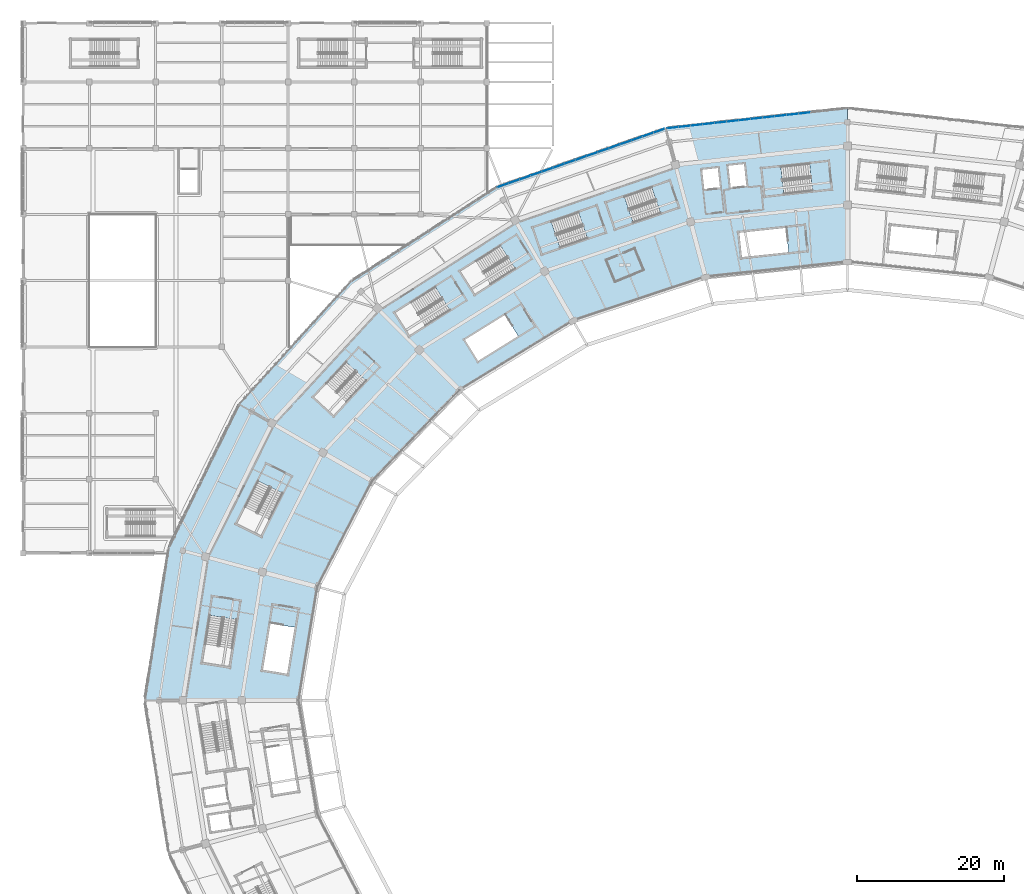
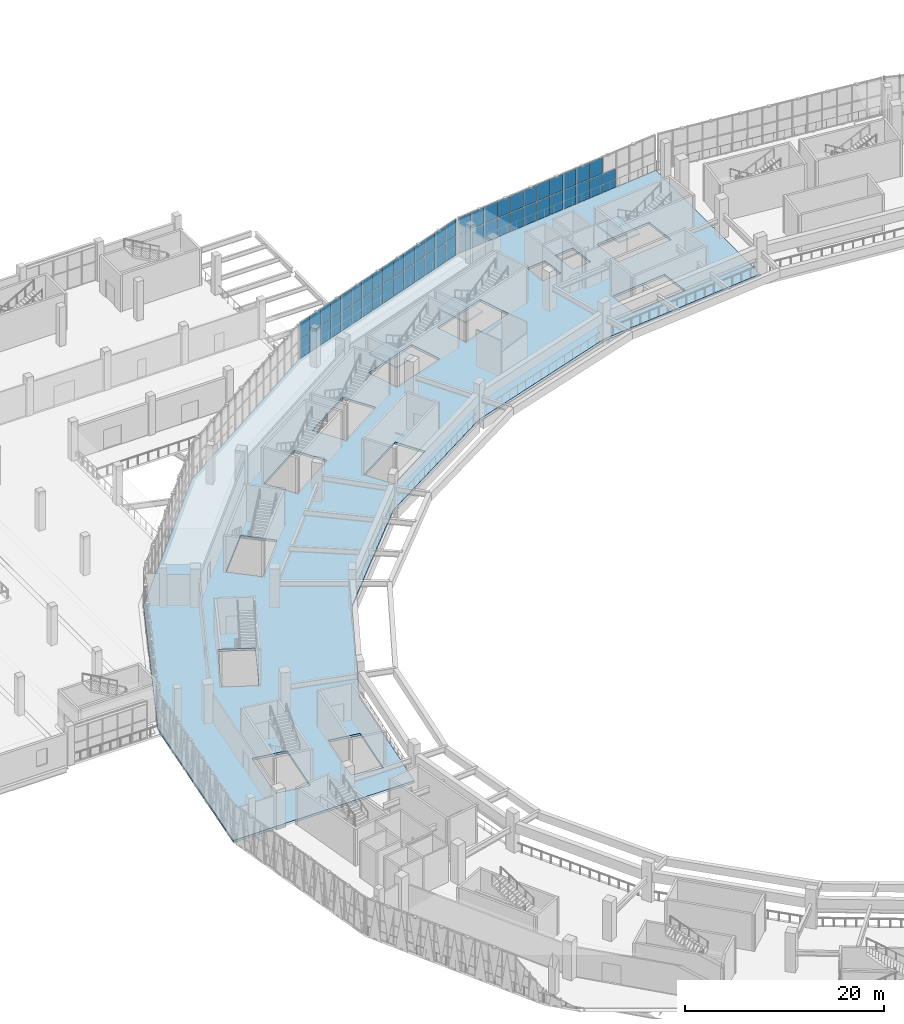
# One storey, part 92 of 179: 53 plates, 4 slabs, 5 elements without a shape of their own.
"""IFC4 building model written with IfcOpenShell, lengths in metres."""

from ifc_helpers import new_model, si_unit, direction, frame, origin, origin_2d, place, context, subcontext, project, spatial, polyline, rectangle, outline, extrude, material, layer, layer_set, type_object, element, aggregate, save


model = new_model("IFC4")

# Units and contexts
model_context = context("Model", 3, precision=1e-05, world=origin(), true_north=direction((0.0, 1.0)))
body_context = subcontext(model_context, "Body", "Model", "MODEL_VIEW")
ifc_project = project(units=[si_unit("LENGTHUNIT", "METRE"), si_unit("AREAUNIT", "SQUARE_METRE"), si_unit("VOLUMEUNIT", "CUBIC_METRE"), si_unit("PLANEANGLEUNIT", "RADIAN"), si_unit("MASSUNIT", "GRAM", prefix="KILO")], contexts=[model_context])

# Site, building, storey
site_placement = place(None, origin())
site = spatial("IfcSite", under=ifc_project, at=site_placement, CompositionType="ELEMENT")
building_placement = place(site_placement, origin())
building = spatial("IfcBuilding", under=site, at=building_placement, Name="Zevraka Park Crest Stadium", CompositionType="ELEMENT")
storey_placement = place(building_placement, frame((0.0, 0.0, 10.199951171875)))
storey = spatial("IfcBuildingStorey", under=building, at=storey_placement, Name="L02", CompositionType="ELEMENT", Elevation=10.199951171875)

# Curtain wall, plates
ifc_material_1 = material(Name="Anodised architectural aluminium and laminated safety glass", Category="aluminium")
curtain_wall_type_1 = type_object("IfcCurtainWallType", Name="CW06", PredefinedType="NOTDEFINED", material=ifc_material_1)
curtain_wall_1_placement = place(storey_placement, origin())
curtain_wall_1 = element("IfcCurtainWall", 1, at=curtain_wall_1_placement, inside=storey, type_object=curtain_wall_type_1, Name="Unitised Ring Curtain Wall CW06 L02-06", PredefinedType="NOTDEFINED")
ifc_material_2 = material(Name="Solar-control laminated double glazing", Category="glass")
ifc_layer_1 = layer(ifc_material_2, 0.028076171875)
ifc_layer_set_1 = layer_set([ifc_layer_1], Name="Solar-control laminated double glazing")
plate_type_1 = type_object("IfcPlateType", Name="CP06", PredefinedType="CURTAIN_PANEL", material=ifc_layer_set_1)
plate_1_placement = place(storey_placement, frame((106.16748046875, 171.772216796875, 0.070068359375), z_axis=(0.0, 0.0, 1.0), x_axis=(-0.993899099743, -0.110293152687, 0.0)))
plate_1 = element("IfcPlate", 2, at=plate_1_placement, type_object=plate_type_1, Name="CW06 panel 4.1", PredefinedType="CURTAIN_PANEL", context=body_context, shape_type="SweptSolid", body=[
    extrude(rectangle(XDim=1.5693359375, YDim=0.028076171875, at=origin_2d()), origin(), (0.0, 0.0, 1.0), 2.294921875),
])
plate_2_placement = place(storey_placement, frame((104.538330078125, 171.59130859375, 0.070068359375), z_axis=(0.0, 0.0, 1.0), x_axis=(-0.993899099743, -0.110293152687, 0.0)))
plate_2 = element("IfcPlate", 3, at=plate_2_placement, type_object=plate_type_1, Name="CW06 panel 5.1", PredefinedType="CURTAIN_PANEL", context=body_context, shape_type="SweptSolid", body=[
    extrude(rectangle(XDim=1.5693359375, YDim=0.028076171875, at=origin_2d()), origin(), (0.0, 0.0, 1.0), 2.294921875),
])
plate_3_placement = place(storey_placement, frame((104.538330078125, 171.59130859375, 2.43505859375), z_axis=(0.0, 0.0, 1.0), x_axis=(-0.993899099743, -0.110293152687, 0.0)))
plate_3 = element("IfcPlate", 4, at=plate_3_placement, type_object=plate_type_1, Name="CW06 panel 5.2", PredefinedType="CURTAIN_PANEL", context=body_context, shape_type="SweptSolid", body=[
    extrude(rectangle(XDim=1.5693359375, YDim=0.028076171875, at=origin_2d()), origin(), (0.0, 0.0, 1.0), 1.9951171875),
])
plate_4_placement = place(storey_placement, frame((102.908935546875, 171.41064453125, 0.070068359375), z_axis=(0.0, 0.0, 1.0), x_axis=(-0.993899099743, -0.110293152687, 0.0)))
plate_4 = element("IfcPlate", 5, at=plate_4_placement, type_object=plate_type_1, Name="CW06 panel 6.1", PredefinedType="CURTAIN_PANEL", context=body_context, shape_type="SweptSolid", body=[
    extrude(rectangle(XDim=1.5693359375, YDim=0.028076171875, at=origin_2d()), origin(), (0.0, 0.0, 1.0), 2.294921875),
])
plate_5_placement = place(storey_placement, frame((102.908935546875, 171.41064453125, 2.43505859375), z_axis=(0.0, 0.0, 1.0), x_axis=(-0.993899099743, -0.110293152687, 0.0)))
plate_5 = element("IfcPlate", 6, at=plate_5_placement, type_object=plate_type_1, Name="CW06 panel 6.2", PredefinedType="CURTAIN_PANEL", context=body_context, shape_type="SweptSolid", body=[
    extrude(rectangle(XDim=1.5693359375, YDim=0.028076171875, at=origin_2d()), origin(), (0.0, 0.0, 1.0), 1.9951171875),
])
plate_6_placement = place(storey_placement, frame((101.27978515625, 171.229736328125, 0.070068359375), z_axis=(0.0, 0.0, 1.0), x_axis=(-0.993899099743, -0.110293152687, 0.0)))
plate_6 = element("IfcPlate", 7, at=plate_6_placement, type_object=plate_type_1, Name="CW06 panel 7.1", PredefinedType="CURTAIN_PANEL", context=body_context, shape_type="SweptSolid", body=[
    extrude(rectangle(XDim=1.5693359375, YDim=0.028076171875, at=origin_2d()), origin(), (0.0, 0.0, 1.0), 2.294921875),
])
plate_7_placement = place(storey_placement, frame((101.27978515625, 171.229736328125, 2.43505859375), z_axis=(0.0, 0.0, 1.0), x_axis=(-0.993899099743, -0.110293152687, 0.0)))
plate_7 = element("IfcPlate", 8, at=plate_7_placement, type_object=plate_type_1, Name="CW06 panel 7.2", PredefinedType="CURTAIN_PANEL", context=body_context, shape_type="SweptSolid", body=[
    extrude(rectangle(XDim=1.5693359375, YDim=0.028076171875, at=origin_2d()), origin(), (0.0, 0.0, 1.0), 1.9951171875),
])
plate_8_placement = place(storey_placement, frame((99.650390625, 171.049072265625, 0.070068359375), z_axis=(0.0, 0.0, 1.0), x_axis=(-0.993899099743, -0.110293152687, 0.0)))
plate_8 = element("IfcPlate", 9, at=plate_8_placement, type_object=plate_type_1, Name="CW06 panel 8.1", PredefinedType="CURTAIN_PANEL", context=body_context, shape_type="SweptSolid", body=[
    extrude(rectangle(XDim=1.5693359375, YDim=0.028076171875, at=origin_2d()), origin(), (0.0, 0.0, 1.0), 2.294921875),
])
plate_9_placement = place(storey_placement, frame((99.650390625, 171.049072265625, 2.43505859375), z_axis=(0.0, 0.0, 1.0), x_axis=(-0.993899099743, -0.110293152687, 0.0)))
plate_9 = element("IfcPlate", 10, at=plate_9_placement, type_object=plate_type_1, Name="CW06 panel 8.2", PredefinedType="CURTAIN_PANEL", context=body_context, shape_type="SweptSolid", body=[
    extrude(rectangle(XDim=1.5693359375, YDim=0.028076171875, at=origin_2d()), origin(), (0.0, 0.0, 1.0), 1.9951171875),
])
plate_10_placement = place(storey_placement, frame((98.021240234375, 170.8681640625, 0.070068359375), z_axis=(0.0, 0.0, 1.0), x_axis=(-0.993899099743, -0.110293152687, 0.0)))
plate_10 = element("IfcPlate", 11, at=plate_10_placement, type_object=plate_type_1, Name="CW06 panel 9.1", PredefinedType="CURTAIN_PANEL", context=body_context, shape_type="SweptSolid", body=[
    extrude(rectangle(XDim=1.5693359375, YDim=0.028076171875, at=origin_2d()), origin(), (0.0, 0.0, 1.0), 2.294921875),
])
plate_11_placement = place(storey_placement, frame((98.021240234375, 170.8681640625, 2.43505859375), z_axis=(0.0, 0.0, 1.0), x_axis=(-0.993899099743, -0.110293152687, 0.0)))
plate_11 = element("IfcPlate", 12, at=plate_11_placement, type_object=plate_type_1, Name="CW06 panel 9.2", PredefinedType="CURTAIN_PANEL", context=body_context, shape_type="SweptSolid", body=[
    extrude(rectangle(XDim=1.5693359375, YDim=0.028076171875, at=origin_2d()), origin(), (0.0, 0.0, 1.0), 1.9951171875),
])
plate_12_placement = place(storey_placement, frame((96.391845703125, 170.6875, 0.070068359375), z_axis=(0.0, 0.0, 1.0), x_axis=(-0.993899099743, -0.110293152687, 0.0)))
plate_12 = element("IfcPlate", 13, at=plate_12_placement, type_object=plate_type_1, Name="CW06 panel 10.1", PredefinedType="CURTAIN_PANEL", context=body_context, shape_type="SweptSolid", body=[
    extrude(rectangle(XDim=1.5693359375, YDim=0.028076171875, at=origin_2d()), origin(), (0.0, 0.0, 1.0), 2.294921875),
])
plate_13_placement = place(storey_placement, frame((96.391845703125, 170.6875, 2.43505859375), z_axis=(0.0, 0.0, 1.0), x_axis=(-0.993899099743, -0.110293152687, 0.0)))
plate_13 = element("IfcPlate", 14, at=plate_13_placement, type_object=plate_type_1, Name="CW06 panel 10.2", PredefinedType="CURTAIN_PANEL", context=body_context, shape_type="SweptSolid", body=[
    extrude(rectangle(XDim=1.5693359375, YDim=0.028076171875, at=origin_2d()), origin(), (0.0, 0.0, 1.0), 1.9951171875),
])
plate_14_placement = place(storey_placement, frame((94.7626953125, 170.506591796875, 0.070068359375), z_axis=(0.0, 0.0, 1.0), x_axis=(-0.993899099743, -0.110293152687, 0.0)))
plate_14 = element("IfcPlate", 15, at=plate_14_placement, type_object=plate_type_1, Name="CW06 panel 11.1", PredefinedType="CURTAIN_PANEL", context=body_context, shape_type="SweptSolid", body=[
    extrude(rectangle(XDim=1.5693359375, YDim=0.028076171875, at=origin_2d()), origin(), (0.0, 0.0, 1.0), 2.294921875),
])
plate_15_placement = place(storey_placement, frame((94.7626953125, 170.506591796875, 2.43505859375), z_axis=(0.0, 0.0, 1.0), x_axis=(-0.993899099743, -0.110293152687, 0.0)))
plate_15 = element("IfcPlate", 16, at=plate_15_placement, type_object=plate_type_1, Name="CW06 panel 11.2", PredefinedType="CURTAIN_PANEL", context=body_context, shape_type="SweptSolid", body=[
    extrude(rectangle(XDim=1.5693359375, YDim=0.028076171875, at=origin_2d()), origin(), (0.0, 0.0, 1.0), 1.9951171875),
])
plate_16_placement = place(storey_placement, frame((93.133544921875, 170.32568359375, 0.070068359375), z_axis=(0.0, 0.0, 1.0), x_axis=(-0.993899099743, -0.110293152687, 0.0)))
plate_16 = element("IfcPlate", 17, at=plate_16_placement, type_object=plate_type_1, Name="CW06 panel 12.1", PredefinedType="CURTAIN_PANEL", context=body_context, shape_type="SweptSolid", body=[
    extrude(rectangle(XDim=1.5693359375, YDim=0.028076171875, at=origin_2d()), origin(), (0.0, 0.0, 1.0), 2.294921875),
])
plate_17_placement = place(storey_placement, frame((93.133544921875, 170.32568359375, 2.43505859375), z_axis=(0.0, 0.0, 1.0), x_axis=(-0.993899099743, -0.110293152687, 0.0)))
plate_17 = element("IfcPlate", 18, at=plate_17_placement, type_object=plate_type_1, Name="CW06 panel 12.2", PredefinedType="CURTAIN_PANEL", context=body_context, shape_type="SweptSolid", body=[
    extrude(rectangle(XDim=1.5693359375, YDim=0.028076171875, at=origin_2d()), origin(), (0.0, 0.0, 1.0), 1.9951171875),
])
plate_18_placement = place(storey_placement, frame((91.504150390625, 170.14501953125, 0.070068359375), z_axis=(0.0, 0.0, 1.0), x_axis=(-0.993899099743, -0.110293152687, 0.0)))
plate_18 = element("IfcPlate", 19, at=plate_18_placement, type_object=plate_type_1, Name="CW06 panel 13.1", PredefinedType="CURTAIN_PANEL", context=body_context, shape_type="SweptSolid", body=[
    extrude(rectangle(XDim=1.5693359375, YDim=0.028076171875, at=origin_2d()), origin(), (0.0, 0.0, 1.0), 2.294921875),
])
plate_19_placement = place(storey_placement, frame((91.504150390625, 170.14501953125, 2.43505859375), z_axis=(0.0, 0.0, 1.0), x_axis=(-0.993899099743, -0.110293152687, 0.0)))
plate_19 = element("IfcPlate", 20, at=plate_19_placement, type_object=plate_type_1, Name="CW06 panel 13.2", PredefinedType="CURTAIN_PANEL", context=body_context, shape_type="SweptSolid", body=[
    extrude(rectangle(XDim=1.5693359375, YDim=0.028076171875, at=origin_2d()), origin(), (0.0, 0.0, 1.0), 1.9951171875),
])
plate_20_placement = place(storey_placement, frame((89.875, 169.964111328125, 0.070068359375), z_axis=(0.0, 0.0, 1.0), x_axis=(-0.993899099743, -0.110293152687, 0.0)))
plate_20 = element("IfcPlate", 21, at=plate_20_placement, type_object=plate_type_1, Name="CW06 panel 14.1", PredefinedType="CURTAIN_PANEL", context=body_context, shape_type="SweptSolid", body=[
    extrude(rectangle(XDim=1.5693359375, YDim=0.028076171875, at=origin_2d()), origin(), (0.0, 0.0, 1.0), 2.294921875),
])
plate_21_placement = place(storey_placement, frame((89.875, 169.964111328125, 2.43505859375), z_axis=(0.0, 0.0, 1.0), x_axis=(-0.993899099743, -0.110293152687, 0.0)))
plate_21 = element("IfcPlate", 22, at=plate_21_placement, type_object=plate_type_1, Name="CW06 panel 14.2", PredefinedType="CURTAIN_PANEL", context=body_context, shape_type="SweptSolid", body=[
    extrude(rectangle(XDim=1.5693359375, YDim=0.028076171875, at=origin_2d()), origin(), (0.0, 0.0, 1.0), 1.9951171875),
])
plate_22_placement = place(storey_placement, frame((88.262939453125, 169.785400390625, 0.070068359375), z_axis=(0.0, 0.0, 1.0), x_axis=(-0.993899099743, -0.110293152687, 0.0)))
plate_22 = element("IfcPlate", 23, at=plate_22_placement, type_object=plate_type_1, Name="CW06 panel 15.1", PredefinedType="CURTAIN_PANEL", context=body_context, shape_type="SweptSolid", body=[
    extrude(rectangle(XDim=1.5341796875, YDim=0.028076171875, at=origin_2d()), origin(), (0.0, 0.0, 1.0), 2.294921875),
])
plate_23_placement = place(storey_placement, frame((88.262939453125, 169.785400390625, 2.43505859375), z_axis=(0.0, 0.0, 1.0), x_axis=(-0.993899099743, -0.110293152687, 0.0)))
plate_23 = element("IfcPlate", 24, at=plate_23_placement, type_object=plate_type_1, Name="CW06 panel 15.2", PredefinedType="CURTAIN_PANEL", context=body_context, shape_type="SweptSolid", body=[
    extrude(rectangle(XDim=1.5341796875, YDim=0.028076171875, at=origin_2d()), origin(), (0.0, 0.0, 1.0), 1.9951171875),
])
aggregate(curtain_wall_1, [plate_1, plate_2, plate_3, plate_4, plate_5, plate_6, plate_7, plate_8, plate_9, plate_10, plate_11, plate_12, plate_13, plate_14, plate_15, plate_16, plate_17, plate_18, plate_19, plate_20, plate_21, plate_22, plate_23])

ifc_material_3 = material(Name="Anodised architectural aluminium and laminated safety glass", Category="aluminium")
curtain_wall_type_2 = type_object("IfcCurtainWallType", Name="CW07", PredefinedType="NOTDEFINED", material=ifc_material_3)
curtain_wall_2_placement = place(storey_placement, origin())
curtain_wall_2 = element("IfcCurtainWall", 25, at=curtain_wall_2_placement, inside=storey, type_object=curtain_wall_type_2, Name="Unitised Ring Curtain Wall CW07 L02-07", PredefinedType="NOTDEFINED")
ifc_material_4 = material(Name="Solar-control laminated double glazing", Category="glass")
ifc_layer_2 = layer(ifc_material_4, 0.028076171875)
ifc_layer_set_2 = layer_set([ifc_layer_2], Name="Solar-control laminated double glazing")
plate_type_2 = type_object("IfcPlateType", Name="CP07", PredefinedType="CURTAIN_PANEL", material=ifc_layer_set_2)
plate_24_placement = place(storey_placement, frame((86.40380859375, 169.364990234375, 0.06005859375), z_axis=(0.0, 0.0, 1.0), x_axis=(-0.944114076789, -0.329618886002, 0.0)))
plate_24 = element("IfcPlate", 26, at=plate_24_placement, type_object=plate_type_2, Name="CW07 panel 1.1", PredefinedType="CURTAIN_PANEL", context=body_context, shape_type="SweptSolid", body=[
    extrude(rectangle(XDim=1.517822265625, YDim=0.028076171875, at=origin_2d()), origin(), (0.0, 0.0, 1.0), 2.31005859375),
])
plate_25_placement = place(storey_placement, frame((86.40380859375, 169.364990234375, 2.43017578125), z_axis=(0.0, 0.0, 1.0), x_axis=(-0.944114076789, -0.329618886002, 0.0)))
plate_25 = element("IfcPlate", 27, at=plate_25_placement, type_object=plate_type_2, Name="CW07 panel 1.2", PredefinedType="CURTAIN_PANEL", context=body_context, shape_type="SweptSolid", body=[
    extrude(rectangle(XDim=1.517822265625, YDim=0.028076171875, at=origin_2d()), origin(), (0.0, 0.0, 1.0), 2.010009765625),
])
plate_26_placement = place(storey_placement, frame((84.900146484375, 168.840087890625, 0.06005859375), z_axis=(0.0, 0.0, 1.0), x_axis=(-0.944114076789, -0.329618886002, 0.0)))
plate_26 = element("IfcPlate", 28, at=plate_26_placement, type_object=plate_type_2, Name="CW07 panel 2.1", PredefinedType="CURTAIN_PANEL", context=body_context, shape_type="SweptSolid", body=[
    extrude(rectangle(XDim=1.547607421875, YDim=0.028076171875, at=origin_2d()), origin(), (0.0, 0.0, 1.0), 2.31005859375),
])
plate_27_placement = place(storey_placement, frame((84.900146484375, 168.840087890625, 2.43017578125), z_axis=(0.0, 0.0, 1.0), x_axis=(-0.944114076789, -0.329618886002, 0.0)))
plate_27 = element("IfcPlate", 29, at=plate_27_placement, type_object=plate_type_2, Name="CW07 panel 2.2", PredefinedType="CURTAIN_PANEL", context=body_context, shape_type="SweptSolid", body=[
    extrude(rectangle(XDim=1.547607421875, YDim=0.028076171875, at=origin_2d()), origin(), (0.0, 0.0, 1.0), 2.010009765625),
])
plate_28_placement = place(storey_placement, frame((83.38232421875, 168.31005859375, 0.06005859375), z_axis=(0.0, 0.0, 1.0), x_axis=(-0.944114076789, -0.329618886002, 0.0)))
plate_28 = element("IfcPlate", 30, at=plate_28_placement, type_object=plate_type_2, Name="CW07 panel 3.1", PredefinedType="CURTAIN_PANEL", context=body_context, shape_type="SweptSolid", body=[
    extrude(rectangle(XDim=1.547607421875, YDim=0.028076171875, at=origin_2d()), origin(), (0.0, 0.0, 1.0), 2.31005859375),
])
plate_29_placement = place(storey_placement, frame((83.38232421875, 168.31005859375, 2.43017578125), z_axis=(0.0, 0.0, 1.0), x_axis=(-0.944114076789, -0.329618886002, 0.0)))
plate_29 = element("IfcPlate", 31, at=plate_29_placement, type_object=plate_type_2, Name="CW07 panel 3.2", PredefinedType="CURTAIN_PANEL", context=body_context, shape_type="SweptSolid", body=[
    extrude(rectangle(XDim=1.547607421875, YDim=0.028076171875, at=origin_2d()), origin(), (0.0, 0.0, 1.0), 2.010009765625),
])
plate_30_placement = place(storey_placement, frame((81.864501953125, 167.7802734375, 0.06005859375), z_axis=(0.0, 0.0, 1.0), x_axis=(-0.944114076789, -0.329618886002, 0.0)))
plate_30 = element("IfcPlate", 32, at=plate_30_placement, type_object=plate_type_2, Name="CW07 panel 4.1", PredefinedType="CURTAIN_PANEL", context=body_context, shape_type="SweptSolid", body=[
    extrude(rectangle(XDim=1.547607421875, YDim=0.028076171875, at=origin_2d()), origin(), (0.0, 0.0, 1.0), 2.31005859375),
])
plate_31_placement = place(storey_placement, frame((81.864501953125, 167.7802734375, 2.43017578125), z_axis=(0.0, 0.0, 1.0), x_axis=(-0.944114076789, -0.329618886002, 0.0)))
plate_31 = element("IfcPlate", 33, at=plate_31_placement, type_object=plate_type_2, Name="CW07 panel 4.2", PredefinedType="CURTAIN_PANEL", context=body_context, shape_type="SweptSolid", body=[
    extrude(rectangle(XDim=1.547607421875, YDim=0.028076171875, at=origin_2d()), origin(), (0.0, 0.0, 1.0), 2.010009765625),
])
plate_32_placement = place(storey_placement, frame((80.3466796875, 167.250244140625, 0.06005859375), z_axis=(0.0, 0.0, 1.0), x_axis=(-0.944114076789, -0.329618886002, 0.0)))
plate_32 = element("IfcPlate", 34, at=plate_32_placement, type_object=plate_type_2, Name="CW07 panel 5.1", PredefinedType="CURTAIN_PANEL", context=body_context, shape_type="SweptSolid", body=[
    extrude(rectangle(XDim=1.547607421875, YDim=0.028076171875, at=origin_2d()), origin(), (0.0, 0.0, 1.0), 2.31005859375),
])
plate_33_placement = place(storey_placement, frame((80.3466796875, 167.250244140625, 2.43017578125), z_axis=(0.0, 0.0, 1.0), x_axis=(-0.944114076789, -0.329618886002, 0.0)))
plate_33 = element("IfcPlate", 35, at=plate_33_placement, type_object=plate_type_2, Name="CW07 panel 5.2", PredefinedType="CURTAIN_PANEL", context=body_context, shape_type="SweptSolid", body=[
    extrude(rectangle(XDim=1.547607421875, YDim=0.028076171875, at=origin_2d()), origin(), (0.0, 0.0, 1.0), 2.010009765625),
])
plate_34_placement = place(storey_placement, frame((78.82861328125, 166.720458984375, 0.06005859375), z_axis=(0.0, 0.0, 1.0), x_axis=(-0.944114076789, -0.329618886002, 0.0)))
plate_34 = element("IfcPlate", 36, at=plate_34_placement, type_object=plate_type_2, Name="CW07 panel 6.1", PredefinedType="CURTAIN_PANEL", context=body_context, shape_type="SweptSolid", body=[
    extrude(rectangle(XDim=1.547607421875, YDim=0.028076171875, at=origin_2d()), origin(), (0.0, 0.0, 1.0), 2.31005859375),
])
plate_35_placement = place(storey_placement, frame((78.82861328125, 166.720458984375, 2.43017578125), z_axis=(0.0, 0.0, 1.0), x_axis=(-0.944114076789, -0.329618886002, 0.0)))
plate_35 = element("IfcPlate", 37, at=plate_35_placement, type_object=plate_type_2, Name="CW07 panel 6.2", PredefinedType="CURTAIN_PANEL", context=body_context, shape_type="SweptSolid", body=[
    extrude(rectangle(XDim=1.547607421875, YDim=0.028076171875, at=origin_2d()), origin(), (0.0, 0.0, 1.0), 2.010009765625),
])
plate_36_placement = place(storey_placement, frame((77.310791015625, 166.1904296875, 0.06005859375), z_axis=(0.0, 0.0, 1.0), x_axis=(-0.944114076789, -0.329618886002, 0.0)))
plate_36 = element("IfcPlate", 38, at=plate_36_placement, type_object=plate_type_2, Name="CW07 panel 7.1", PredefinedType="CURTAIN_PANEL", context=body_context, shape_type="SweptSolid", body=[
    extrude(rectangle(XDim=1.547607421875, YDim=0.028076171875, at=origin_2d()), origin(), (0.0, 0.0, 1.0), 2.31005859375),
])
plate_37_placement = place(storey_placement, frame((77.310791015625, 166.1904296875, 2.43017578125), z_axis=(0.0, 0.0, 1.0), x_axis=(-0.944114076789, -0.329618886002, 0.0)))
plate_37 = element("IfcPlate", 39, at=plate_37_placement, type_object=plate_type_2, Name="CW07 panel 7.2", PredefinedType="CURTAIN_PANEL", context=body_context, shape_type="SweptSolid", body=[
    extrude(rectangle(XDim=1.547607421875, YDim=0.028076171875, at=origin_2d()), origin(), (0.0, 0.0, 1.0), 2.010009765625),
])
plate_38_placement = place(storey_placement, frame((75.79296875, 165.660400390625, 0.06005859375), z_axis=(0.0, 0.0, 1.0), x_axis=(-0.944114076789, -0.329618886002, 0.0)))
plate_38 = element("IfcPlate", 40, at=plate_38_placement, type_object=plate_type_2, Name="CW07 panel 8.1", PredefinedType="CURTAIN_PANEL", context=body_context, shape_type="SweptSolid", body=[
    extrude(rectangle(XDim=1.547607421875, YDim=0.028076171875, at=origin_2d()), origin(), (0.0, 0.0, 1.0), 2.31005859375),
])
plate_39_placement = place(storey_placement, frame((75.79296875, 165.660400390625, 2.43017578125), z_axis=(0.0, 0.0, 1.0), x_axis=(-0.944114076789, -0.329618886002, 0.0)))
plate_39 = element("IfcPlate", 41, at=plate_39_placement, type_object=plate_type_2, Name="CW07 panel 8.2", PredefinedType="CURTAIN_PANEL", context=body_context, shape_type="SweptSolid", body=[
    extrude(rectangle(XDim=1.547607421875, YDim=0.028076171875, at=origin_2d()), origin(), (0.0, 0.0, 1.0), 2.010009765625),
])
plate_40_placement = place(storey_placement, frame((74.275146484375, 165.130615234375, 0.06005859375), z_axis=(0.0, 0.0, 1.0), x_axis=(-0.944114076789, -0.329618886002, 0.0)))
plate_40 = element("IfcPlate", 42, at=plate_40_placement, type_object=plate_type_2, Name="CW07 panel 9.1", PredefinedType="CURTAIN_PANEL", context=body_context, shape_type="SweptSolid", body=[
    extrude(rectangle(XDim=1.547607421875, YDim=0.028076171875, at=origin_2d()), origin(), (0.0, 0.0, 1.0), 2.31005859375),
])
plate_41_placement = place(storey_placement, frame((74.275146484375, 165.130615234375, 2.43017578125), z_axis=(0.0, 0.0, 1.0), x_axis=(-0.944114076789, -0.329618886002, 0.0)))
plate_41 = element("IfcPlate", 43, at=plate_41_placement, type_object=plate_type_2, Name="CW07 panel 9.2", PredefinedType="CURTAIN_PANEL", context=body_context, shape_type="SweptSolid", body=[
    extrude(rectangle(XDim=1.547607421875, YDim=0.028076171875, at=origin_2d()), origin(), (0.0, 0.0, 1.0), 2.010009765625),
])
plate_42_placement = place(storey_placement, frame((72.75732421875, 164.6005859375, 0.06005859375), z_axis=(0.0, 0.0, 1.0), x_axis=(-0.944114076789, -0.329618886002, 0.0)))
plate_42 = element("IfcPlate", 44, at=plate_42_placement, type_object=plate_type_2, Name="CW07 panel 10.1", PredefinedType="CURTAIN_PANEL", context=body_context, shape_type="SweptSolid", body=[
    extrude(rectangle(XDim=1.547607421875, YDim=0.028076171875, at=origin_2d()), origin(), (0.0, 0.0, 1.0), 2.31005859375),
])
plate_43_placement = place(storey_placement, frame((72.75732421875, 164.6005859375, 2.43017578125), z_axis=(0.0, 0.0, 1.0), x_axis=(-0.944114076789, -0.329618886002, 0.0)))
plate_43 = element("IfcPlate", 45, at=plate_43_placement, type_object=plate_type_2, Name="CW07 panel 10.2", PredefinedType="CURTAIN_PANEL", context=body_context, shape_type="SweptSolid", body=[
    extrude(rectangle(XDim=1.547607421875, YDim=0.028076171875, at=origin_2d()), origin(), (0.0, 0.0, 1.0), 2.010009765625),
])
plate_44_placement = place(storey_placement, frame((71.239501953125, 164.07080078125, 0.06005859375), z_axis=(0.0, 0.0, 1.0), x_axis=(-0.944114076789, -0.329618886002, 0.0)))
plate_44 = element("IfcPlate", 46, at=plate_44_placement, type_object=plate_type_2, Name="CW07 panel 11.1", PredefinedType="CURTAIN_PANEL", context=body_context, shape_type="SweptSolid", body=[
    extrude(rectangle(XDim=1.547607421875, YDim=0.028076171875, at=origin_2d()), origin(), (0.0, 0.0, 1.0), 2.31005859375),
])
plate_45_placement = place(storey_placement, frame((71.239501953125, 164.07080078125, 2.43017578125), z_axis=(0.0, 0.0, 1.0), x_axis=(-0.944114076789, -0.329618886002, 0.0)))
plate_45 = element("IfcPlate", 47, at=plate_45_placement, type_object=plate_type_2, Name="CW07 panel 11.2", PredefinedType="CURTAIN_PANEL", context=body_context, shape_type="SweptSolid", body=[
    extrude(rectangle(XDim=1.547607421875, YDim=0.028076171875, at=origin_2d()), origin(), (0.0, 0.0, 1.0), 2.010009765625),
])
plate_46_placement = place(storey_placement, frame((69.721435546875, 163.540771484375, 0.06005859375), z_axis=(0.0, 0.0, 1.0), x_axis=(-0.944114076789, -0.329618886002, 0.0)))
plate_46 = element("IfcPlate", 48, at=plate_46_placement, type_object=plate_type_2, Name="CW07 panel 12.1", PredefinedType="CURTAIN_PANEL", context=body_context, shape_type="SweptSolid", body=[
    extrude(rectangle(XDim=1.547607421875, YDim=0.028076171875, at=origin_2d()), origin(), (0.0, 0.0, 1.0), 2.31005859375),
])
plate_47_placement = place(storey_placement, frame((69.721435546875, 163.540771484375, 2.43017578125), z_axis=(0.0, 0.0, 1.0), x_axis=(-0.944114076789, -0.329618886002, 0.0)))
plate_47 = element("IfcPlate", 49, at=plate_47_placement, type_object=plate_type_2, Name="CW07 panel 12.2", PredefinedType="CURTAIN_PANEL", context=body_context, shape_type="SweptSolid", body=[
    extrude(rectangle(XDim=1.547607421875, YDim=0.028076171875, at=origin_2d()), origin(), (0.0, 0.0, 1.0), 2.010009765625),
])
plate_48_placement = place(storey_placement, frame((68.20361328125, 163.0107421875, 0.06005859375), z_axis=(0.0, 0.0, 1.0), x_axis=(-0.944114076789, -0.329618886002, 0.0)))
plate_48 = element("IfcPlate", 50, at=plate_48_placement, type_object=plate_type_2, Name="CW07 panel 13.1", PredefinedType="CURTAIN_PANEL", context=body_context, shape_type="SweptSolid", body=[
    extrude(rectangle(XDim=1.547607421875, YDim=0.028076171875, at=origin_2d()), origin(), (0.0, 0.0, 1.0), 2.31005859375),
])
plate_49_placement = place(storey_placement, frame((68.20361328125, 163.0107421875, 2.43017578125), z_axis=(0.0, 0.0, 1.0), x_axis=(-0.944114076789, -0.329618886002, 0.0)))
plate_49 = element("IfcPlate", 51, at=plate_49_placement, type_object=plate_type_2, Name="CW07 panel 13.2", PredefinedType="CURTAIN_PANEL", context=body_context, shape_type="SweptSolid", body=[
    extrude(rectangle(XDim=1.547607421875, YDim=0.028076171875, at=origin_2d()), origin(), (0.0, 0.0, 1.0), 2.010009765625),
])
plate_50_placement = place(storey_placement, frame((66.685791015625, 162.48095703125, 0.06005859375), z_axis=(0.0, 0.0, 1.0), x_axis=(-0.944114076789, -0.329618886002, 0.0)))
plate_50 = element("IfcPlate", 52, at=plate_50_placement, type_object=plate_type_2, Name="CW07 panel 14.1", PredefinedType="CURTAIN_PANEL", context=body_context, shape_type="SweptSolid", body=[
    extrude(rectangle(XDim=1.547607421875, YDim=0.028076171875, at=origin_2d()), origin(), (0.0, 0.0, 1.0), 2.31005859375),
])
plate_51_placement = place(storey_placement, frame((66.685791015625, 162.48095703125, 2.43017578125), z_axis=(0.0, 0.0, 1.0), x_axis=(-0.944114076789, -0.329618886002, 0.0)))
plate_51 = element("IfcPlate", 53, at=plate_51_placement, type_object=plate_type_2, Name="CW07 panel 14.2", PredefinedType="CURTAIN_PANEL", context=body_context, shape_type="SweptSolid", body=[
    extrude(rectangle(XDim=1.547607421875, YDim=0.028076171875, at=origin_2d()), origin(), (0.0, 0.0, 1.0), 2.010009765625),
])
plate_52_placement = place(storey_placement, frame((65.18212890625, 161.955810546875, 0.06005859375), z_axis=(0.0, 0.0, 1.0), x_axis=(-0.944114076789, -0.329618886002, 0.0)))
plate_52 = element("IfcPlate", 54, at=plate_52_placement, type_object=plate_type_2, Name="CW07 panel 15.1", PredefinedType="CURTAIN_PANEL", context=body_context, shape_type="SweptSolid", body=[
    extrude(rectangle(XDim=1.517822265625, YDim=0.028076171875, at=origin_2d()), origin(), (0.0, 0.0, 1.0), 2.31005859375),
])
plate_53_placement = place(storey_placement, frame((65.18212890625, 161.955810546875, 2.43017578125), z_axis=(0.0, 0.0, 1.0), x_axis=(-0.944114076789, -0.329618886002, 0.0)))
plate_53 = element("IfcPlate", 55, at=plate_53_placement, type_object=plate_type_2, Name="CW07 panel 15.2", PredefinedType="CURTAIN_PANEL", context=body_context, shape_type="SweptSolid", body=[
    extrude(rectangle(XDim=1.517822265625, YDim=0.028076171875, at=origin_2d()), origin(), (0.0, 0.0, 1.0), 2.010009765625),
])
aggregate(curtain_wall_2, [plate_24, plate_25, plate_26, plate_27, plate_28, plate_29, plate_30, plate_31, plate_32, plate_33, plate_34, plate_35, plate_36, plate_37, plate_38, plate_39, plate_40, plate_41, plate_42, plate_43, plate_44, plate_45, plate_46, plate_47, plate_48, plate_49, plate_50, plate_51, plate_52, plate_53])

# Slab
ifc_material_5 = material(Name="Concrete C35/45", Category="concrete")
ifc_layer_3 = layer(ifc_material_5, 0.280029296875)
ifc_layer_set_3 = layer_set([ifc_layer_3], Name="Concrete C35/45")
slab_type_1 = type_object("IfcSlabType", Name="FS02", PredefinedType="FLOOR", material=ifc_layer_set_3)
slab_1_placement = place(storey_placement, frame((0.0, 0.0, -0.280029296875)))
element("IfcSlab", 56, at=slab_1_placement, inside=storey, type_object=slab_type_1, Name="Bowl Concourse Ring Slab L02 Q2-NW-1", PredefinedType="FLOOR", context=body_context, shape_type="SweptSolid", body=[
    extrude(outline(polyline([(92.718017578125, 149.472900390625), (74.75, 143.529052734375), (59.321044921875, 134.072998046875), (47.48095703125, 121.75), (40.0390625, 107.39990234375), (37.5, 92.0), (16.5, 92.0), (19.75390625, 112.8349609375), (20.448974609375, 114.25), (20.5, 114.25), (20.5, 114.35302734375), (29.294921875, 132.25), (44.470947265625, 148.922119140625), (64.25, 161.715087890625), (87.282958984375, 169.757080078125), (112.0, 172.5), (112.0, 151.5), (92.718017578125, 149.472900390625)]), holes=[polyline([(35.925048828125, 95.510009765625), (36.964111328125, 101.89599609375), (33.549072265625, 102.451904296875), (32.510009765625, 96.06591796875), (35.925048828125, 95.510009765625)]), polyline([(24.30810546875, 97.093017578125), (28.02099609375, 96.5009765625), (29.0458984375, 102.93994140625), (25.3330078125, 103.531005859375), (24.30810546875, 97.093017578125)]), polyline([(28.968994140625, 115.962890625), (32.3310546875, 114.278076171875), (35.251953125, 120.10791015625), (31.889892578125, 121.7919921875), (28.968994140625, 115.962890625)]), polyline([(39.427001953125, 133.177001953125), (42.18310546875, 130.618896484375), (46.617919921875, 135.39794921875), (43.862060546875, 137.9560546875), (39.427001953125, 133.177001953125)]), polyline([(50.470947265625, 144.6689453125), (52.486083984375, 141.493896484375), (57.990966796875, 144.987060546875), (55.97705078125, 148.162109375), (50.470947265625, 144.6689453125)]), polyline([(59.3369140625, 150.2939453125), (61.35205078125, 147.118896484375), (66.85693359375, 150.612060546875), (64.843017578125, 153.787109375), (59.3369140625, 150.2939453125)]), polyline([(61.7919921875, 138.0400390625), (67.2890625, 141.450927734375), (65.465087890625, 144.39111328125), (59.967041015625, 140.97998046875), (61.7919921875, 138.0400390625)]), polyline([(97.220947265625, 155.56689453125), (97.587890625, 152.1259765625), (104.02099609375, 152.81103515625), (103.655029296875, 156.2509765625), (97.220947265625, 155.56689453125)]), polyline([(69.285888671875, 156.196044921875), (70.50390625, 152.638916015625), (76.673095703125, 154.7509765625), (75.4541015625, 158.30810546875), (69.285888671875, 156.196044921875)]), polyline([(79.219970703125, 159.596923828125), (80.43798828125, 156.0400390625), (86.60693359375, 158.152099609375), (85.387939453125, 161.708984375), (79.219970703125, 159.596923828125)]), polyline([(100.365966796875, 164.22509765625), (100.77294921875, 160.487060546875), (107.2548828125, 161.19189453125), (106.847900390625, 164.929931640625), (100.365966796875, 164.22509765625)]), polyline([(92.22802734375, 164.09912109375), (92.52099609375, 161.4150390625), (94.7080078125, 161.653076171875), (94.4150390625, 164.3369140625), (92.22802734375, 164.09912109375)]), polyline([(95.7900390625, 164.638916015625), (96.114990234375, 161.656005859375), (98.302001953125, 161.89501953125), (97.97705078125, 164.8779296875), (95.7900390625, 164.638916015625)])]), origin(), (0.0, 0.0, 1.0), 0.280029296875),
])

# Stair, slab
ifc_material_6 = material(Name="Concrete C35/45", Category="concrete")
stair_type = type_object("IfcStairType", Name="STA2", PredefinedType="HALF_TURN_STAIR", material=ifc_material_6)
stair_1_placement = place(storey_placement, origin())
stair_1 = element("IfcStair", 57, at=stair_1_placement, inside=storey, type_object=stair_type, Name="L02 Protected Concourse Exit Stair ST07", PredefinedType="HALF_TURN_STAIR")
ifc_material_7 = material(Name="Concrete C35/45", Category="concrete")
ifc_layer_4 = layer(ifc_material_7, 0.199951171875)
ifc_layer_set_4 = layer_set([ifc_layer_4], Name="Concrete C35/45")
slab_type_2 = type_object("IfcSlabType", Name="LS01", PredefinedType="LANDING", material=ifc_layer_set_4)
slab_2_placement = place(storey_placement, frame((0.0, 0.0, 2.199951171875)))
slab_2 = element("IfcSlab", 58, at=slab_2_placement, type_object=slab_type_2, Name="ST07 landing 1", PredefinedType="LANDING", context=body_context, shape_type="SweptSolid", body=[
    extrude(outline(polyline([(102.9609375, 164.507080078125), (100.3662109375, 164.224609375), (100.77294921875, 160.48681640625), (103.36767578125, 160.769287109375), (102.9609375, 164.507080078125)])), origin(), (0.0, 0.0, 1.0), 0.2001953125),
])
aggregate(stair_1, [slab_2])

stair_2_placement = place(storey_placement, origin())
stair_2 = element("IfcStair", 59, at=stair_2_placement, inside=storey, type_object=stair_type, Name="L02 Protected Concourse Exit Stair ST08", PredefinedType="HALF_TURN_STAIR")
slab_3_placement = place(storey_placement, frame((0.0, 0.0, 2.199951171875)))
slab_3 = element("IfcSlab", 60, at=slab_3_placement, type_object=slab_type_2, Name="ST08 landing 1", PredefinedType="LANDING", context=body_context, shape_type="SweptSolid", body=[
    extrude(outline(polyline([(81.689453125, 160.442626953125), (79.22021484375, 159.596923828125), (80.438232421875, 156.039794921875), (82.907470703125, 156.885498046875), (81.689453125, 160.442626953125)])), origin(), (0.0, 0.0, 1.0), 0.2001953125),
])
aggregate(stair_2, [slab_3])

stair_3_placement = place(storey_placement, origin())
stair_3 = element("IfcStair", 61, at=stair_3_placement, inside=storey, type_object=stair_type, Name="L02 Protected Paired Concourse Exit Stair ST27", PredefinedType="HALF_TURN_STAIR")
slab_4_placement = place(storey_placement, frame((0.0, 0.0, 2.199951171875)))
slab_4 = element("IfcSlab", 62, at=slab_4_placement, type_object=slab_type_2, Name="ST27 landing 1", PredefinedType="LANDING", context=body_context, shape_type="SweptSolid", body=[
    extrude(outline(polyline([(71.75537109375, 157.04150390625), (69.2861328125, 156.196044921875), (70.504150390625, 152.638916015625), (72.973388671875, 153.484375), (71.75537109375, 157.04150390625)])), origin(), (0.0, 0.0, 1.0), 0.2001953125),
])
aggregate(stair_3, [slab_4])

save(model, "model.ifc")
